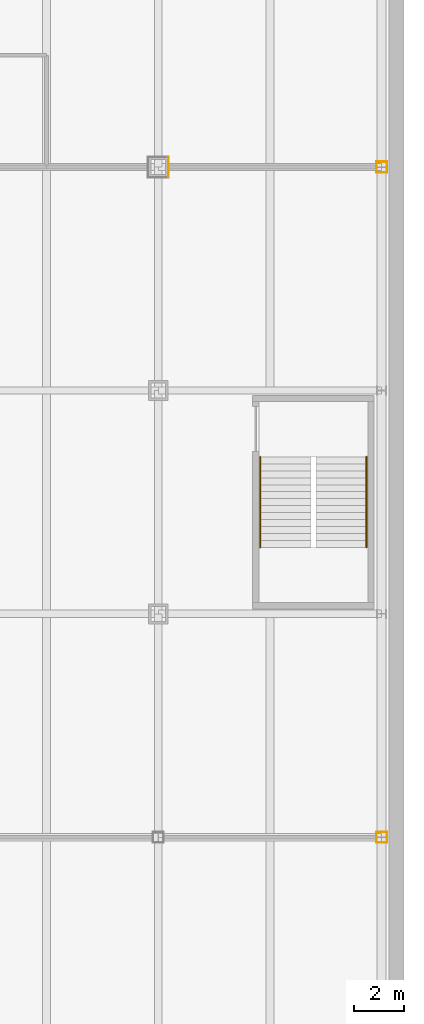
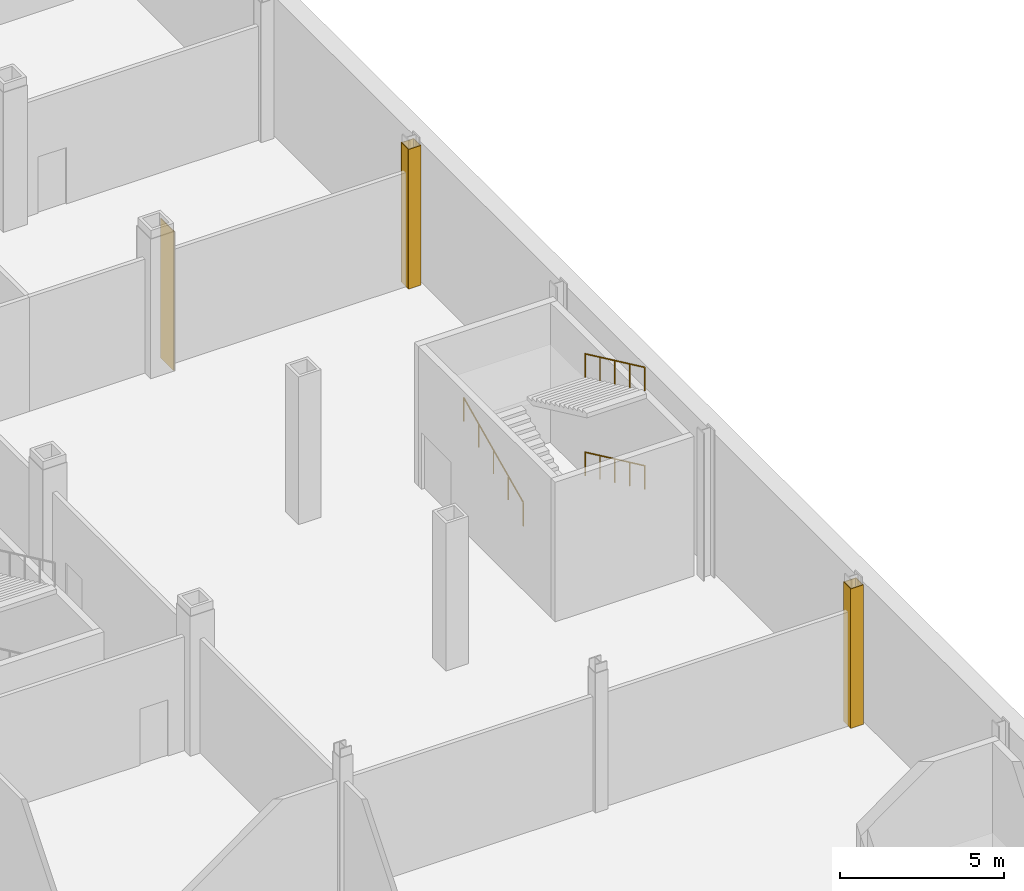
# One storey, part 22 of 27: 9 coverings, 3 railings.
"""IFC4 building model written with IfcOpenShell, lengths in metres."""

import ifcopenshell
import ifcopenshell.guid

model = None  # the IFC model being written
_history = None  # IfcOwnerHistory: only IFC2X3 demands one
_inside = {}  # id of a spatial element -> (the spatial element, [elements in it])
_under = {}  # id of a project, library or spatial element -> (it, [spatial elements below it])
_declared = {}  # id of a project -> (the project, [libraries it declares])
_typed = {}  # id of a type object -> (the type object, [elements of that type])
_made_of = {}  # id of a material, layer set ... -> (it, [elements and type objects made of it])


def new_model(schema):
    """Start an empty IFC model of exactly this schema.

    Asked for "IFC4X3", IfcOpenShell would pick the latest addendum, in which some entities
    have other attributes; the version numbers below select the first issue.
    IFC2X3 requires an IfcOwnerHistory on every rooted entity: one is made here for all.
    """
    global model, _history
    if schema == "IFC4X3":
        model = ifcopenshell.file(schema_version=(4, 3, 0, 0))
    else:
        model = ifcopenshell.file(schema=schema)
    _inside.clear()
    _under.clear()
    _declared.clear()
    _typed.clear()
    _made_of.clear()
    _history = None
    if model.schema == "IFC2X3":
        org = make("IfcOrganization", Name="unknown")
        user = make(
            "IfcPersonAndOrganization",
            ThePerson=make("IfcPerson", FamilyName="unknown"),
            TheOrganization=org,
        )
        app = make(
            "IfcApplication",
            ApplicationDeveloper=org,
            Version="unknown",
            ApplicationFullName="unknown",
            ApplicationIdentifier="unknown",
        )
        _history = make(
            "IfcOwnerHistory",
            OwningUser=user,
            OwningApplication=app,
            ChangeAction="ADDED",
            CreationDate=0,
        )
    return model


def make(cls, **values):
    """One entity of the class cls with the attributes given. An attribute that is None is left unset."""
    return model.create_entity(
        cls, **{name: value for name, value in values.items() if value is not None}
    )


def rooted(cls, **values):
    """An entity with a GlobalId (a new one), such as an element, a storey or a relation."""
    return make(cls, GlobalId=ifcopenshell.guid.new(), OwnerHistory=_history, **values)


def si_unit(unit_type, name, prefix=None):
    """IfcSIUnit, for example si_unit("LENGTHUNIT", "METRE", prefix="MILLI")."""
    return make("IfcSIUnit", UnitType=unit_type, Prefix=prefix, Name=name)


def assignment(units):
    """IfcUnitAssignment: the units of a project."""
    return None if units is None else make("IfcUnitAssignment", Units=units)


def point(xyz):
    """IfcCartesianPoint."""
    return None if xyz is None else make("IfcCartesianPoint", Coordinates=xyz)


def direction(xyz):
    """IfcDirection."""
    return None if xyz is None else make("IfcDirection", DirectionRatios=xyz)


def frame(location, z_axis=None, x_axis=None):
    """IfcAxis2Placement3D, a coordinate frame: its origin and axes. An axis left out is left unset."""
    return make(
        "IfcAxis2Placement3D",
        Location=point(location),
        Axis=direction(z_axis),
        RefDirection=direction(x_axis),
    )


def frame_2d(location, x_axis=None):
    """IfcAxis2Placement2D, a coordinate frame in the plane: its origin and x axis."""
    return make(
        "IfcAxis2Placement2D", Location=point(location), RefDirection=direction(x_axis)
    )


def origin():
    """The frame at (0, 0, 0) with its axes left unset."""
    return frame((0.0, 0.0, 0.0))


def origin_2d():
    """The frame at (0, 0) in the plane with its x axis left unset."""
    return frame_2d((0.0, 0.0))


def place(relative_to, where):
    """IfcLocalPlacement: puts the frame where relative to a parent placement (None: the world)."""
    return make(
        "IfcLocalPlacement", PlacementRelTo=relative_to, RelativePlacement=where
    )


def context(
    kind, dimensions, precision=None, world=None, true_north=None, identifier=None
):
    """IfcGeometricRepresentationContext, for example the 3D "Model" context."""
    return make(
        "IfcGeometricRepresentationContext",
        ContextIdentifier=identifier,
        ContextType=kind,
        CoordinateSpaceDimension=dimensions,
        Precision=precision,
        WorldCoordinateSystem=world,
        TrueNorth=true_north,
    )


def subcontext(parent, identifier, kind, view, scale=None):
    """IfcGeometricRepresentationSubContext, for example "Body" below "Model"."""
    return make(
        "IfcGeometricRepresentationSubContext",
        ContextIdentifier=identifier,
        ContextType=kind,
        ParentContext=parent,
        TargetScale=scale,
        TargetView=view,
    )


def project(units=None, contexts=None):
    """IfcProject with its units and contexts."""
    return rooted(
        "IfcProject",
        Name="project",
        RepresentationContexts=contexts,
        UnitsInContext=assignment(units),
    )


def spatial(cls, under=None, at=None, **own):
    """A site, building, storey or space (cls), placed at a placement, below another one or the project."""
    s = rooted(cls, ObjectPlacement=at, **own)
    if under is not None:
        _under.setdefault(under.id(), (under, []))[1].append(s)
    return s


def profile(cls, at=None, kind="AREA", **sizes):
    """A parametric profile (cls). Its sizes go by their IFC names, for example OverallWidth=200.0."""
    return make(cls, ProfileType=kind, Position=at, **sizes)


def rectangle(**sizes):
    """IfcRectangleProfileDef."""
    return profile("IfcRectangleProfileDef", **sizes)


def circle(**sizes):
    """IfcCircleProfileDef."""
    return profile("IfcCircleProfileDef", **sizes)


def extrude(swept, where, along, depth):
    """IfcExtrudedAreaSolid: the profile swept, set in the frame where, extruded along a direction by depth."""
    return make(
        "IfcExtrudedAreaSolid",
        SweptArea=swept,
        Position=where,
        ExtrudedDirection=direction(along),
        Depth=depth,
    )


def shape(context_of_items, identifier, shape_type, items):
    """IfcShapeRepresentation: the items that make up one representation, for example the "Body"."""
    return make(
        "IfcShapeRepresentation",
        ContextOfItems=context_of_items,
        RepresentationIdentifier=identifier,
        RepresentationType=shape_type,
        Items=items,
    )


def material(Name=None, Category=None):
    """IfcMaterial."""
    return make("IfcMaterial", Name=Name, Category=Category)


def layer(
    of_material, thickness, ventilated=None, Name=None, Category=None, Priority=None
):
    """IfcMaterialLayer: one layer of a wall or slab, of a material (None: an air gap)."""
    return make(
        "IfcMaterialLayer",
        Material=of_material,
        LayerThickness=thickness,
        IsVentilated=ventilated,
        Name=Name,
        Category=Category,
        Priority=Priority,
    )


def layer_set(layers, Name=None):
    """IfcMaterialLayerSet."""
    return make("IfcMaterialLayerSet", MaterialLayers=layers, LayerSetName=Name)


def made_of(thing, what):
    """Note that an element or type object is made of a material, layer set ...; save() writes the relation."""
    if what is not None:
        _made_of.setdefault(what.id(), (what, []))[1].append(thing)
    return thing


def type_object(cls, material=None, **own):
    """A type object (cls), such as IfcWallType, which elements share."""
    return made_of(rooted(cls, **own), material)


def element(
    cls,
    number,
    at=None,
    inside=None,
    cuts=None,
    type_object=None,
    material=None,
    context=None,
    identifier="Body",
    shape_type=None,
    held_by="IfcProductDefinitionShape",
    body=None,
    shapes=None,
    **own,
):
    """One element of the class cls, such as IfcWall. Its Tag is "e" and its number.

    at: its placement. inside: the storey or other place that contains it. cuts: it is an
    opening in that element (IfcRelVoidsElement). A single representation is given by context,
    identifier, shape_type and body (its items); several are given by shapes. held_by: the class
    of the entity that holds the representations. save() writes the other relations.
    """
    e = rooted(cls, Tag="e%d" % number, ObjectPlacement=at, **own)
    if body is not None:
        shapes = [shape(context, identifier, shape_type, body)]
    if shapes is not None:
        e.Representation = make(held_by, Representations=shapes)
    if inside is not None:
        _inside.setdefault(inside.id(), (inside, []))[1].append(e)
    if cuts is not None:
        rooted(
            "IfcRelVoidsElement", RelatingBuildingElement=cuts, RelatedOpeningElement=e
        )
    if type_object is not None:
        _typed.setdefault(type_object.id(), (type_object, []))[1].append(e)
    return made_of(e, material)


def aggregate(whole, parts):
    """IfcRelAggregates: a whole, such as a stair, and the parts it consists of."""
    return rooted("IfcRelAggregates", RelatingObject=whole, RelatedObjects=parts)


def save(model, path):
    """Write the relations noted so far, then the file.

    IfcRelAggregates (storeys below a building ...), IfcRelContainedInSpatialStructure (elements
    in a storey), IfcRelDefinesByType, IfcRelAssociatesMaterial and IfcRelDeclares: one each for
    every whole, place, type object, material and project.
    """
    for whole, parts in _under.values():
        aggregate(whole, parts)
    for where, things in _inside.values():
        rooted(
            "IfcRelContainedInSpatialStructure",
            RelatedElements=things,
            RelatingStructure=where,
        )
    for kind, things in _typed.values():
        rooted("IfcRelDefinesByType", RelatedObjects=things, RelatingType=kind)
    for what, things in _made_of.values():
        rooted("IfcRelAssociatesMaterial", RelatedObjects=things, RelatingMaterial=what)
    for by, libraries in _declared.values():
        rooted("IfcRelDeclares", RelatingContext=by, RelatedDefinitions=libraries)
    model.write(path)


model = new_model("IFC4")

# Units and contexts
model_context = context("Model", 3, precision=1e-05, world=origin(), true_north=direction((0.0, 1.0)))
body_context = subcontext(model_context, "Body", "Model", "MODEL_VIEW")
ifc_project = project(units=[si_unit("LENGTHUNIT", "METRE"), si_unit("AREAUNIT", "SQUARE_METRE"), si_unit("VOLUMEUNIT", "CUBIC_METRE"), si_unit("PLANEANGLEUNIT", "RADIAN"), si_unit("MASSUNIT", "GRAM", prefix="KILO")], contexts=[model_context])

# Site, building, storey
site_placement = place(None, origin())
site = spatial("IfcSite", under=ifc_project, at=site_placement, CompositionType="ELEMENT")
building_placement = place(site_placement, origin())
building = spatial("IfcBuilding", under=site, at=building_placement, Name="Loomwork Tower", CompositionType="ELEMENT")
storey_placement = place(building_placement, frame((0.0, 0.0, -5.5)))
storey = spatial("IfcBuildingStorey", under=building, at=storey_placement, Name="B1", CompositionType="ELEMENT", Elevation=-5.5)

# Coverings
ifc_material_1 = material(Name="Two-hour fire-rated gypsum board casing")
ifc_layer = layer(ifc_material_1, 0.02490234375)
ifc_layer_set = layer_set([ifc_layer], Name="Column fire casing 25")
covering_type = type_object("IfcCoveringType", Name="Column fire casing 25", PredefinedType="CLADDING", material=ifc_layer_set)
covering_placement = place(storey_placement, frame((54.41259765625, 18.0, 0.0), z_axis=(0.0, 0.0, 1.0), x_axis=(1.0, 0.0, 0.0)))
element("IfcCovering", 1, at=covering_placement, inside=storey, type_object=covering_type, Name="Column casing 54 18 B1", PredefinedType="CLADDING", context=body_context, shape_type="SweptSolid", body=[
    extrude(rectangle(XDim=0.02490234375, YDim=0.800048828125, at=origin_2d()), origin(), (0.0, 0.0, 1.0), 5.199951171875),
])
for number, where, z_axis, x_axis, name in (
    (2, (63.0, -8.786865234375, 0.0), (0.0, 0.0, 1.0), (1.0, 0.0, 0.0), "Column casing 63 -9 B1"),
    (3, (63.0, -9.213134765625, 0.0), (0.0, 0.0, 1.0), (1.0, 0.0, 0.0), "Column casing 63 -9 B1"),
):
    element("IfcCovering", number, at=place(storey_placement, frame(where, z_axis=z_axis, x_axis=x_axis)), inside=storey, type_object=covering_type, Name=name, PredefinedType="CLADDING", context=body_context, shape_type="SweptSolid", body=[
        extrude(rectangle(XDim=0.44873046875, YDim=0.02490234375, at=origin_2d()), origin(), (0.0, 0.0, 1.0), 5.199951171875),
    ])
for number, where, z_axis, x_axis, name in (
    (4, (63.2119140625, -9.0, 0.0), (0.0, 0.0, 1.0), (1.0, 0.0, 0.0), "Column casing 63 -9 B1"),
    (5, (62.7880859375, -9.0, 0.0), (0.0, 0.0, 1.0), (1.0, 0.0, 0.0), "Column casing 63 -9 B1"),
):
    element("IfcCovering", number, at=place(storey_placement, frame(where, z_axis=z_axis, x_axis=x_axis)), inside=storey, type_object=covering_type, Name=name, PredefinedType="CLADDING", context=body_context, shape_type="SweptSolid", body=[
        extrude(rectangle(XDim=0.02490234375, YDim=0.4013671875, at=origin_2d()), origin(), (0.0, 0.0, 1.0), 5.199951171875),
    ])
for number, where, z_axis, x_axis, name in (
    (6, (63.0, 18.213134765625, 0.0), (0.0, 0.0, 1.0), (1.0, 0.0, 0.0), "Column casing 63 18 B1"),
    (7, (63.0, 17.786865234375, 0.0), (0.0, 0.0, 1.0), (1.0, 0.0, 0.0), "Column casing 63 18 B1"),
):
    element("IfcCovering", number, at=place(storey_placement, frame(where, z_axis=z_axis, x_axis=x_axis)), inside=storey, type_object=covering_type, Name=name, PredefinedType="CLADDING", context=body_context, shape_type="SweptSolid", body=[
        extrude(rectangle(XDim=0.44873046875, YDim=0.02490234375, at=origin_2d()), origin(), (0.0, 0.0, 1.0), 5.199951171875),
    ])
for number, where, z_axis, x_axis, name in (
    (8, (63.2119140625, 18.0, 0.0), (0.0, 0.0, 1.0), (1.0, 0.0, 0.0), "Column casing 63 18 B1"),
    (9, (62.7880859375, 18.0, 0.0), (0.0, 0.0, 1.0), (1.0, 0.0, 0.0), "Column casing 63 18 B1"),
):
    element("IfcCovering", number, at=place(storey_placement, frame(where, z_axis=z_axis, x_axis=x_axis)), inside=storey, type_object=covering_type, Name=name, PredefinedType="CLADDING", context=body_context, shape_type="SweptSolid", body=[
        extrude(rectangle(XDim=0.02490234375, YDim=0.4013671875, at=origin_2d()), origin(), (0.0, 0.0, 1.0), 5.199951171875),
    ])

# Railings
ifc_material_2 = material(Name="Stainless steel handrail", Category="steel")
railing_type = type_object("IfcRailingType", Name="Handrail 900", PredefinedType="HANDRAIL", material=ifc_material_2)
railing_1_placement = place(storey_placement, frame((62.389892578125, 6.320068359375, 0.131103515625)))
element("IfcRailing", 10, at=railing_1_placement, inside=storey, type_object=railing_type, Name="Podium stair PS6 handrail flight 1 B1", PredefinedType="HANDRAIL", context=body_context, shape_type="SweptSolid", body=[
    extrude(circle(Radius=0.02392578125, at=origin_2d()), frame((0.0, 0.0, 0.8759765625), z_axis=(0.0, -0.905856922506, 0.423583800383), x_axis=(1.0, 0.0, 0.0)), (0.0, 0.0, 1.0), 4.0185546875),
    extrude(circle(Radius=0.02099609375, at=origin_2d()), origin(), (0.0, 0.0, 1.0), 0.851806640625),
    extrude(circle(Radius=0.02099609375, at=origin_2d()), frame((0.0, -0.91015625, 0.425537109375)), (0.0, 0.0, 1.0), 0.851806640625),
    extrude(circle(Radius=0.02099609375, at=origin_2d()), frame((0.0, -1.820068359375, 0.85107421875)), (0.0, 0.0, 1.0), 0.851806640625),
    extrude(circle(Radius=0.02099609375, at=origin_2d()), frame((0.0, -2.72998046875, 1.276611328125)), (0.0, 0.0, 1.0), 0.851806640625),
    extrude(circle(Radius=0.02099609375, at=origin_2d()), frame((0.0, -3.64013671875, 1.7021484375)), (0.0, 0.0, 1.0), 0.851806640625),
])
railing_2_placement = place(storey_placement, frame((58.110107421875, 2.679931640625, 1.96435546875)))
element("IfcRailing", 11, at=railing_2_placement, inside=storey, type_object=railing_type, Name="Podium stair PS6 handrail flight 2 B1", PredefinedType="HANDRAIL", context=body_context, shape_type="SweptSolid", body=[
    extrude(circle(Radius=0.02392578125, at=origin_2d()), frame((0.0, 0.0, 0.8759765625), z_axis=(0.0, 0.905856922506, 0.423583800383), x_axis=(-1.0, 0.0, 0.0)), (0.0, 0.0, 1.0), 4.0185546875),
    extrude(circle(Radius=0.02099609375, at=origin_2d()), origin(), (0.0, 0.0, 1.0), 0.851806640625),
    extrude(circle(Radius=0.02099609375, at=origin_2d()), frame((0.0, 0.91015625, 0.425537109375)), (0.0, 0.0, 1.0), 0.851806640625),
    extrude(circle(Radius=0.02099609375, at=origin_2d()), frame((0.0, 1.820068359375, 0.85107421875)), (0.0, 0.0, 1.0), 0.851806640625),
    extrude(circle(Radius=0.02099609375, at=origin_2d()), frame((0.0, 2.72998046875, 1.276611328125)), (0.0, 0.0, 1.0), 0.851806640625),
    extrude(circle(Radius=0.02099609375, at=origin_2d()), frame((0.0, 3.64013671875, 1.7021484375)), (0.0, 0.0, 1.0), 0.851806640625),
])
railing_3_placement = place(storey_placement, frame((62.389892578125, 6.320068359375, 3.797607421875)))
element("IfcRailing", 12, at=railing_3_placement, inside=storey, type_object=railing_type, Name="Podium stair PS6 handrail flight 3 B1", PredefinedType="HANDRAIL", context=body_context, shape_type="SweptSolid", body=[
    extrude(circle(Radius=0.02392578125, at=origin_2d()), frame((0.0, 0.0, 0.8759765625), z_axis=(0.0, -0.905833609661, 0.423633652593), x_axis=(1.0, 0.0, 0.0)), (0.0, 0.0, 1.0), 4.0185546875),
    extrude(circle(Radius=0.02099609375, at=origin_2d()), origin(), (0.0, 0.0, 1.0), 0.851806640625),
    extrude(circle(Radius=0.02099609375, at=origin_2d()), frame((0.0, -0.91015625, 0.425537109375)), (0.0, 0.0, 1.0), 0.851806640625),
    extrude(circle(Radius=0.02099609375, at=origin_2d()), frame((0.0, -1.820068359375, 0.85107421875)), (0.0, 0.0, 1.0), 0.851806640625),
    extrude(circle(Radius=0.02099609375, at=origin_2d()), frame((0.0, -2.72998046875, 1.27685546875)), (0.0, 0.0, 1.0), 0.851806640625),
    extrude(circle(Radius=0.02099609375, at=origin_2d()), frame((0.0, -3.64013671875, 1.702392578125)), (0.0, 0.0, 1.0), 0.851806640625),
])

save(model, "model.ifc")
